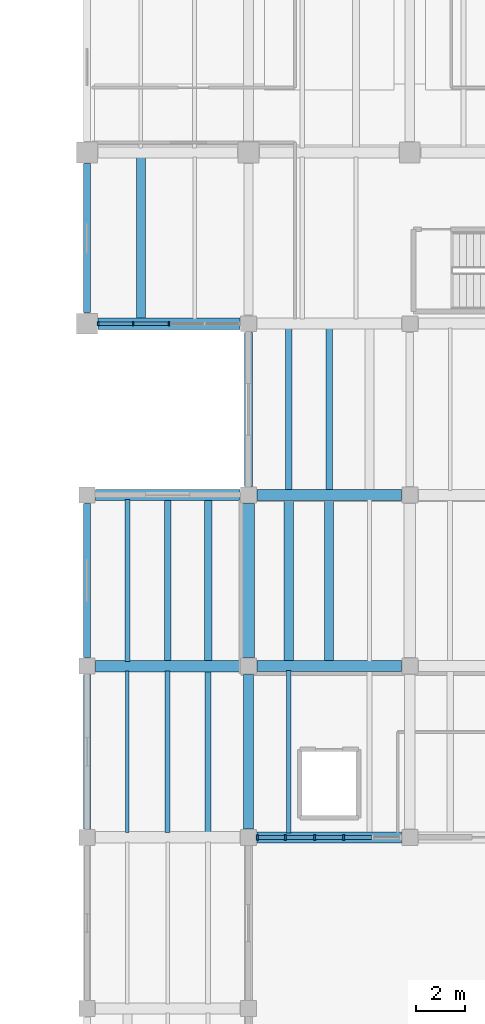
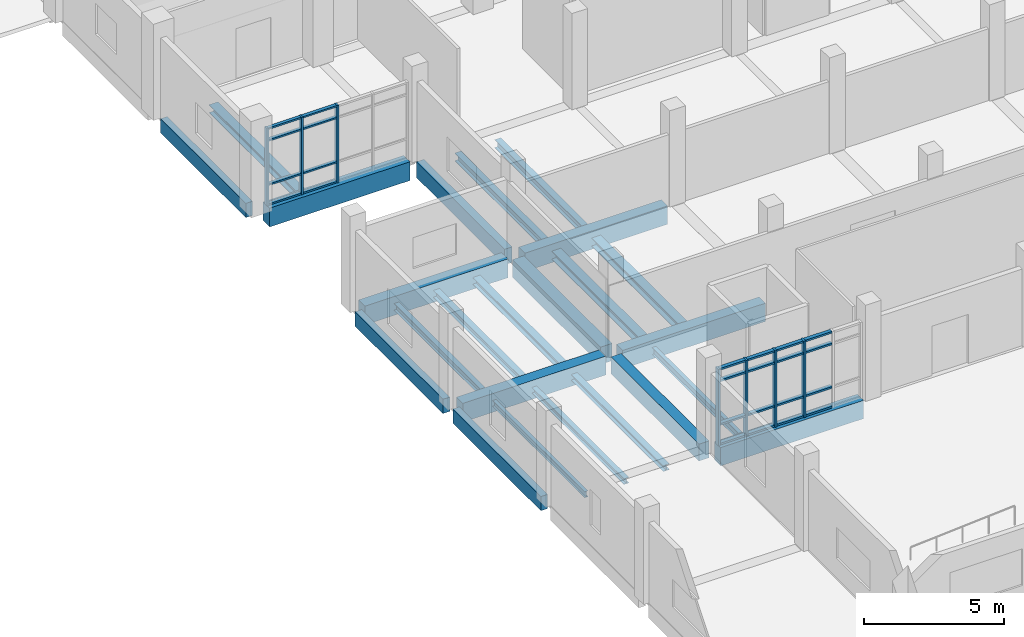
# One storey, part 21 of 69: 31 members, 24 beams, 2 elements without a shape of their own.
"""IFC4 building model written with IfcOpenShell, lengths in metres."""

from ifc_helpers import new_model, si_unit, direction, frame, origin, origin_2d, place, context, subcontext, project, spatial, rectangle, i_section, extrude, material, material_profile, profile_set, type_object, element, aggregate, save


model = new_model("IFC4")

# Units and contexts
model_context = context("Model", 3, precision=1e-05, world=origin(), true_north=direction((0.0, 1.0)))
body_context = subcontext(model_context, "Body", "Model", "MODEL_VIEW")
ifc_project = project(units=[si_unit("LENGTHUNIT", "METRE"), si_unit("AREAUNIT", "SQUARE_METRE"), si_unit("VOLUMEUNIT", "CUBIC_METRE"), si_unit("PLANEANGLEUNIT", "RADIAN"), si_unit("MASSUNIT", "GRAM", prefix="KILO")], contexts=[model_context])

# Site, building, storey
site_placement = place(None, origin())
site = spatial("IfcSite", under=ifc_project, at=site_placement, CompositionType="ELEMENT")
building_placement = place(site_placement, origin())
building = spatial("IfcBuilding", under=site, at=building_placement, Name="Ciguamira Faculty of Natural Sciences", CompositionType="ELEMENT")
storey_placement = place(building_placement, origin())
storey = spatial("IfcBuildingStorey", under=building, at=storey_placement, Name="L00", CompositionType="ELEMENT", Elevation=0.0)

# Curtain wall, members
ifc_material_1 = material(Name="Anodized aluminium curtain wall", Category="aluminium")
curtain_wall_type_1 = type_object("IfcCurtainWallType", Name="CurtainWall_CW-05", PredefinedType="USERDEFINED", material=ifc_material_1)
curtain_wall_1_placement = place(storey_placement, origin())
curtain_wall_1 = element("IfcCurtainWall", 1, at=curtain_wall_1_placement, inside=storey, type_object=curtain_wall_type_1, Name="L00 unitised curtain wall 0017", ObjectType="UNITISED CURTAIN WALL", PredefinedType="USERDEFINED")
ifc_material_2 = material(Name="Anodized aluminium mullion", Category="aluminium")
ifc_material_profile_1 = material_profile(ifc_material_2, rectangle(XDim=0.070068359375, YDim=0.179931640625, at=origin_2d()), Name="ALU-MUL-70X180")
ifc_profile_set_1 = profile_set([ifc_material_profile_1], Name="Anodized aluminium mullion")
member_type_1 = type_object("IfcMemberType", Name="CWMullion_CWM-02", PredefinedType="MULLION", material=ifc_profile_set_1)
member_1_placement = place(storey_placement, frame((57.760009765625, 94.0, 0.0), z_axis=(0.0, 0.0, 1.0), x_axis=(1.0, 0.0, 0.0)))
member_1 = element("IfcMember", 2, at=member_1_placement, type_object=member_type_1, Name="CW-05 mullion 1", PredefinedType="MULLION", context=body_context, shape_type="SweptSolid", body=[
    extrude(rectangle(XDim=0.070068359375, YDim=0.179931640625, at=origin_2d()), origin(), (0.0, 0.0, 1.0), 3.385009765625),
])
member_2_placement = place(storey_placement, frame((59.1875, 94.0, 0.0), z_axis=(0.0, 0.0, 1.0), x_axis=(1.0, 0.0, 0.0)))
member_2 = element("IfcMember", 3, at=member_2_placement, type_object=member_type_1, Name="CW-05 mullion 2", PredefinedType="MULLION", context=body_context, shape_type="SweptSolid", body=[
    extrude(rectangle(XDim=0.070068359375, YDim=0.179931640625, at=origin_2d()), origin(), (0.0, 0.0, 1.0), 3.385009765625),
])
member_3_placement = place(storey_placement, frame((60.64990234375, 94.0, 0.0), z_axis=(0.0, 0.0, 1.0), x_axis=(1.0, 0.0, 0.0)))
member_3 = element("IfcMember", 4, at=member_3_placement, type_object=member_type_1, Name="CW-05 mullion 3", PredefinedType="MULLION", context=body_context, shape_type="SweptSolid", body=[
    extrude(rectangle(XDim=0.070068359375, YDim=0.179931640625, at=origin_2d()), origin(), (0.0, 0.0, 1.0), 3.385009765625),
])

curtain_wall_type_2 = type_object("IfcCurtainWallType", Name="CurtainWall_CW-12", PredefinedType="USERDEFINED", material=ifc_material_1)
curtain_wall_2_placement = place(storey_placement, origin())
curtain_wall_2 = element("IfcCurtainWall", 5, at=curtain_wall_2_placement, inside=storey, type_object=curtain_wall_type_2, Name="L00 unitised curtain wall 0012", ObjectType="UNITISED CURTAIN WALL", PredefinedType="USERDEFINED")
ifc_material_profile_2 = material_profile(ifc_material_2, rectangle(XDim=0.080078125, YDim=0.219970703125, at=origin_2d()), Name="ALU-MUL-80X220")
ifc_profile_set_2 = profile_set([ifc_material_profile_2], Name="Anodized aluminium mullion")
member_type_2 = type_object("IfcMemberType", Name="CWMullion_CWM-03", PredefinedType="MULLION", material=ifc_profile_set_2)
member_4_placement = place(storey_placement, frame((64.264892578125, 73.0, 0.0), z_axis=(0.0, 0.0, 1.0), x_axis=(1.0, 0.0, 0.0)))
member_4 = element("IfcMember", 6, at=member_4_placement, type_object=member_type_2, Name="CW-12 mullion 1", PredefinedType="MULLION", context=body_context, shape_type="SweptSolid", body=[
    extrude(rectangle(XDim=0.080078125, YDim=0.219970703125, at=origin_2d()), origin(), (0.0, 0.0, 1.0), 3.344970703125),
])
member_5_placement = place(storey_placement, frame((65.4150390625, 73.0, 0.0), z_axis=(0.0, 0.0, 1.0), x_axis=(1.0, 0.0, 0.0)))
member_5 = element("IfcMember", 7, at=member_5_placement, type_object=member_type_2, Name="CW-12 mullion 2", PredefinedType="MULLION", context=body_context, shape_type="SweptSolid", body=[
    extrude(rectangle(XDim=0.080078125, YDim=0.219970703125, at=origin_2d()), origin(), (0.0, 0.0, 1.0), 3.344970703125),
])
member_6_placement = place(storey_placement, frame((66.60498046875, 73.0, 0.0), z_axis=(0.0, 0.0, 1.0), x_axis=(1.0, 0.0, 0.0)))
member_6 = element("IfcMember", 8, at=member_6_placement, type_object=member_type_2, Name="CW-12 mullion 3", PredefinedType="MULLION", context=body_context, shape_type="SweptSolid", body=[
    extrude(rectangle(XDim=0.080078125, YDim=0.219970703125, at=origin_2d()), origin(), (0.0, 0.0, 1.0), 3.344970703125),
])
member_7_placement = place(storey_placement, frame((67.794921875, 73.0, 0.0), z_axis=(0.0, 0.0, 1.0), x_axis=(1.0, 0.0, 0.0)))
member_7 = element("IfcMember", 9, at=member_7_placement, type_object=member_type_2, Name="CW-12 mullion 4", PredefinedType="MULLION", context=body_context, shape_type="SweptSolid", body=[
    extrude(rectangle(XDim=0.080078125, YDim=0.219970703125, at=origin_2d()), origin(), (0.0, 0.0, 1.0), 3.344970703125),
])

# Member
ifc_material_3 = material(Name="Anodized aluminium transom", Category="aluminium")
ifc_material_profile_3 = material_profile(ifc_material_3, rectangle(XDim=0.070068359375, YDim=0.139892578125, at=origin_2d()), Name="ALU-TRN-70X140")
ifc_profile_set_3 = profile_set([ifc_material_profile_3], Name="Anodized aluminium transom")
member_type_3 = type_object("IfcMemberType", Name="CWTransom_CWT-02", PredefinedType="USERDEFINED", material=ifc_profile_set_3)
member_8_placement = place(storey_placement, frame((57.794921875, 94.0, 0.034912109375), z_axis=(1.0, 0.0, 0.0), x_axis=(0.0, 0.0, 1.0)))
member_8 = element("IfcMember", 10, at=member_8_placement, type_object=member_type_3, Name="CW-05 transom 1.1", ObjectType="TRANSOM", PredefinedType="USERDEFINED", context=body_context, shape_type="SweptSolid", body=[
    extrude(rectangle(XDim=0.070068359375, YDim=0.139892578125, at=origin_2d()), origin(), (0.0, 0.0, 1.0), 1.357666015625),
])

member_9_placement = place(storey_placement, frame((57.794921875, 94.0, 0.89990234375), z_axis=(1.0, 0.0, 0.0), x_axis=(0.0, 0.0, 1.0)))
member_9 = element("IfcMember", 11, at=member_9_placement, type_object=member_type_3, Name="CW-05 transom 1.2", ObjectType="TRANSOM", PredefinedType="USERDEFINED", context=body_context, shape_type="SweptSolid", body=[
    extrude(rectangle(XDim=0.070068359375, YDim=0.139892578125, at=origin_2d()), origin(), (0.0, 0.0, 1.0), 1.357666015625),
])

member_10_placement = place(storey_placement, frame((57.794921875, 94.0, 2.8349609375), z_axis=(1.0, 0.0, 0.0), x_axis=(0.0, 0.0, 1.0)))
member_10 = element("IfcMember", 12, at=member_10_placement, type_object=member_type_3, Name="CW-05 transom 1.3", ObjectType="TRANSOM", PredefinedType="USERDEFINED", context=body_context, shape_type="SweptSolid", body=[
    extrude(rectangle(XDim=0.070068359375, YDim=0.139892578125, at=origin_2d()), origin(), (0.0, 0.0, 1.0), 1.357666015625),
])

member_11_placement = place(storey_placement, frame((57.794921875, 94.0, 3.35009765625), z_axis=(1.0, 0.0, 0.0), x_axis=(0.0, 0.0, 1.0)))
member_11 = element("IfcMember", 13, at=member_11_placement, type_object=member_type_3, Name="CW-05 transom 1.4", ObjectType="TRANSOM", PredefinedType="USERDEFINED", context=body_context, shape_type="SweptSolid", body=[
    extrude(rectangle(XDim=0.070068359375, YDim=0.139892578125, at=origin_2d()), origin(), (0.0, 0.0, 1.0), 1.357666015625),
])

member_12_placement = place(storey_placement, frame((59.222412109375, 94.0, 0.034912109375), z_axis=(1.0, 0.0, 0.0), x_axis=(0.0, 0.0, 1.0)))
member_12 = element("IfcMember", 14, at=member_12_placement, type_object=member_type_3, Name="CW-05 transom 2.1", ObjectType="TRANSOM", PredefinedType="USERDEFINED", context=body_context, shape_type="SweptSolid", body=[
    extrude(rectangle(XDim=0.070068359375, YDim=0.139892578125, at=origin_2d()), origin(), (0.0, 0.0, 1.0), 1.392578125),
])

member_13_placement = place(storey_placement, frame((59.222412109375, 94.0, 0.89990234375), z_axis=(1.0, 0.0, 0.0), x_axis=(0.0, 0.0, 1.0)))
member_13 = element("IfcMember", 15, at=member_13_placement, type_object=member_type_3, Name="CW-05 transom 2.2", ObjectType="TRANSOM", PredefinedType="USERDEFINED", context=body_context, shape_type="SweptSolid", body=[
    extrude(rectangle(XDim=0.070068359375, YDim=0.139892578125, at=origin_2d()), origin(), (0.0, 0.0, 1.0), 1.392578125),
])

member_14_placement = place(storey_placement, frame((59.222412109375, 94.0, 2.8349609375), z_axis=(1.0, 0.0, 0.0), x_axis=(0.0, 0.0, 1.0)))
member_14 = element("IfcMember", 16, at=member_14_placement, type_object=member_type_3, Name="CW-05 transom 2.3", ObjectType="TRANSOM", PredefinedType="USERDEFINED", context=body_context, shape_type="SweptSolid", body=[
    extrude(rectangle(XDim=0.070068359375, YDim=0.139892578125, at=origin_2d()), origin(), (0.0, 0.0, 1.0), 1.392578125),
])

member_15_placement = place(storey_placement, frame((59.222412109375, 94.0, 3.35009765625), z_axis=(1.0, 0.0, 0.0), x_axis=(0.0, 0.0, 1.0)))
member_15 = element("IfcMember", 17, at=member_15_placement, type_object=member_type_3, Name="CW-05 transom 2.4", ObjectType="TRANSOM", PredefinedType="USERDEFINED", context=body_context, shape_type="SweptSolid", body=[
    extrude(rectangle(XDim=0.070068359375, YDim=0.139892578125, at=origin_2d()), origin(), (0.0, 0.0, 1.0), 1.392578125),
])

aggregate(curtain_wall_1, [member_1, member_2, member_3, member_8, member_9, member_10, member_11, member_12, member_13, member_14, member_15])

ifc_material_profile_4 = material_profile(ifc_material_3, rectangle(XDim=0.080078125, YDim=0.159912109375, at=origin_2d()), Name="ALU-TRN-80X160")
ifc_profile_set_4 = profile_set([ifc_material_profile_4], Name="Anodized aluminium transom")
member_type_4 = type_object("IfcMemberType", Name="CWTransom_CWT-03", PredefinedType="USERDEFINED", material=ifc_profile_set_4)
member_16_placement = place(storey_placement, frame((64.304931640625, 73.0, 0.0400390625), z_axis=(1.0, 0.0, 0.0), x_axis=(0.0, 0.0, 1.0)))
member_16 = element("IfcMember", 18, at=member_16_placement, type_object=member_type_4, Name="CW-12 transom 1.1", ObjectType="TRANSOM", PredefinedType="USERDEFINED", context=body_context, shape_type="SweptSolid", body=[
    extrude(rectangle(XDim=0.080078125, YDim=0.159912109375, at=origin_2d()), origin(), (0.0, 0.0, 1.0), 1.070068359375),
])

member_17_placement = place(storey_placement, frame((64.304931640625, 73.0, 0.89990234375), z_axis=(1.0, 0.0, 0.0), x_axis=(0.0, 0.0, 1.0)))
member_17 = element("IfcMember", 19, at=member_17_placement, type_object=member_type_4, Name="CW-12 transom 1.2", ObjectType="TRANSOM", PredefinedType="USERDEFINED", context=body_context, shape_type="SweptSolid", body=[
    extrude(rectangle(XDim=0.080078125, YDim=0.159912109375, at=origin_2d()), origin(), (0.0, 0.0, 1.0), 1.070068359375),
])

member_18_placement = place(storey_placement, frame((64.304931640625, 73.0, 2.794921875), z_axis=(1.0, 0.0, 0.0), x_axis=(0.0, 0.0, 1.0)))
member_18 = element("IfcMember", 20, at=member_18_placement, type_object=member_type_4, Name="CW-12 transom 1.3", ObjectType="TRANSOM", PredefinedType="USERDEFINED", context=body_context, shape_type="SweptSolid", body=[
    extrude(rectangle(XDim=0.080078125, YDim=0.159912109375, at=origin_2d()), origin(), (0.0, 0.0, 1.0), 1.070068359375),
])

member_19_placement = place(storey_placement, frame((64.304931640625, 73.0, 3.304931640625), z_axis=(1.0, 0.0, 0.0), x_axis=(0.0, 0.0, 1.0)))
member_19 = element("IfcMember", 21, at=member_19_placement, type_object=member_type_4, Name="CW-12 transom 1.4", ObjectType="TRANSOM", PredefinedType="USERDEFINED", context=body_context, shape_type="SweptSolid", body=[
    extrude(rectangle(XDim=0.080078125, YDim=0.159912109375, at=origin_2d()), origin(), (0.0, 0.0, 1.0), 1.070068359375),
])

member_20_placement = place(storey_placement, frame((65.455078125, 73.0, 0.0400390625), z_axis=(1.0, 0.0, 0.0), x_axis=(0.0, 0.0, 1.0)))
member_20 = element("IfcMember", 22, at=member_20_placement, type_object=member_type_4, Name="CW-12 transom 2.1", ObjectType="TRANSOM", PredefinedType="USERDEFINED", context=body_context, shape_type="SweptSolid", body=[
    extrude(rectangle(XDim=0.080078125, YDim=0.159912109375, at=origin_2d()), origin(), (0.0, 0.0, 1.0), 1.10986328125),
])

member_21_placement = place(storey_placement, frame((65.455078125, 73.0, 0.89990234375), z_axis=(1.0, 0.0, 0.0), x_axis=(0.0, 0.0, 1.0)))
member_21 = element("IfcMember", 23, at=member_21_placement, type_object=member_type_4, Name="CW-12 transom 2.2", ObjectType="TRANSOM", PredefinedType="USERDEFINED", context=body_context, shape_type="SweptSolid", body=[
    extrude(rectangle(XDim=0.080078125, YDim=0.159912109375, at=origin_2d()), origin(), (0.0, 0.0, 1.0), 1.10986328125),
])

member_22_placement = place(storey_placement, frame((65.455078125, 73.0, 2.794921875), z_axis=(1.0, 0.0, 0.0), x_axis=(0.0, 0.0, 1.0)))
member_22 = element("IfcMember", 24, at=member_22_placement, type_object=member_type_4, Name="CW-12 transom 2.3", ObjectType="TRANSOM", PredefinedType="USERDEFINED", context=body_context, shape_type="SweptSolid", body=[
    extrude(rectangle(XDim=0.080078125, YDim=0.159912109375, at=origin_2d()), origin(), (0.0, 0.0, 1.0), 1.10986328125),
])

member_23_placement = place(storey_placement, frame((65.455078125, 73.0, 3.304931640625), z_axis=(1.0, 0.0, 0.0), x_axis=(0.0, 0.0, 1.0)))
member_23 = element("IfcMember", 25, at=member_23_placement, type_object=member_type_4, Name="CW-12 transom 2.4", ObjectType="TRANSOM", PredefinedType="USERDEFINED", context=body_context, shape_type="SweptSolid", body=[
    extrude(rectangle(XDim=0.080078125, YDim=0.159912109375, at=origin_2d()), origin(), (0.0, 0.0, 1.0), 1.10986328125),
])

member_24_placement = place(storey_placement, frame((66.64501953125, 73.0, 0.0400390625), z_axis=(1.0, 0.0, 0.0), x_axis=(0.0, 0.0, 1.0)))
member_24 = element("IfcMember", 26, at=member_24_placement, type_object=member_type_4, Name="CW-12 transom 3.1", ObjectType="TRANSOM", PredefinedType="USERDEFINED", context=body_context, shape_type="SweptSolid", body=[
    extrude(rectangle(XDim=0.080078125, YDim=0.159912109375, at=origin_2d()), origin(), (0.0, 0.0, 1.0), 1.10986328125),
])

member_25_placement = place(storey_placement, frame((66.64501953125, 73.0, 0.89990234375), z_axis=(1.0, 0.0, 0.0), x_axis=(0.0, 0.0, 1.0)))
member_25 = element("IfcMember", 27, at=member_25_placement, type_object=member_type_4, Name="CW-12 transom 3.2", ObjectType="TRANSOM", PredefinedType="USERDEFINED", context=body_context, shape_type="SweptSolid", body=[
    extrude(rectangle(XDim=0.080078125, YDim=0.159912109375, at=origin_2d()), origin(), (0.0, 0.0, 1.0), 1.10986328125),
])

member_26_placement = place(storey_placement, frame((66.64501953125, 73.0, 2.794921875), z_axis=(1.0, 0.0, 0.0), x_axis=(0.0, 0.0, 1.0)))
member_26 = element("IfcMember", 28, at=member_26_placement, type_object=member_type_4, Name="CW-12 transom 3.3", ObjectType="TRANSOM", PredefinedType="USERDEFINED", context=body_context, shape_type="SweptSolid", body=[
    extrude(rectangle(XDim=0.080078125, YDim=0.159912109375, at=origin_2d()), origin(), (0.0, 0.0, 1.0), 1.10986328125),
])

member_27_placement = place(storey_placement, frame((66.64501953125, 73.0, 3.304931640625), z_axis=(1.0, 0.0, 0.0), x_axis=(0.0, 0.0, 1.0)))
member_27 = element("IfcMember", 29, at=member_27_placement, type_object=member_type_4, Name="CW-12 transom 3.4", ObjectType="TRANSOM", PredefinedType="USERDEFINED", context=body_context, shape_type="SweptSolid", body=[
    extrude(rectangle(XDim=0.080078125, YDim=0.159912109375, at=origin_2d()), origin(), (0.0, 0.0, 1.0), 1.10986328125),
])

member_28_placement = place(storey_placement, frame((67.8349609375, 73.0, 0.0400390625), z_axis=(1.0, 0.0, 0.0), x_axis=(0.0, 0.0, 1.0)))
member_28 = element("IfcMember", 30, at=member_28_placement, type_object=member_type_4, Name="CW-12 transom 4.1", ObjectType="TRANSOM", PredefinedType="USERDEFINED", context=body_context, shape_type="SweptSolid", body=[
    extrude(rectangle(XDim=0.080078125, YDim=0.159912109375, at=origin_2d()), origin(), (0.0, 0.0, 1.0), 1.110107421875),
])

member_29_placement = place(storey_placement, frame((67.8349609375, 73.0, 0.89990234375), z_axis=(1.0, 0.0, 0.0), x_axis=(0.0, 0.0, 1.0)))
member_29 = element("IfcMember", 31, at=member_29_placement, type_object=member_type_4, Name="CW-12 transom 4.2", ObjectType="TRANSOM", PredefinedType="USERDEFINED", context=body_context, shape_type="SweptSolid", body=[
    extrude(rectangle(XDim=0.080078125, YDim=0.159912109375, at=origin_2d()), origin(), (0.0, 0.0, 1.0), 1.110107421875),
])

member_30_placement = place(storey_placement, frame((67.8349609375, 73.0, 2.794921875), z_axis=(1.0, 0.0, 0.0), x_axis=(0.0, 0.0, 1.0)))
member_30 = element("IfcMember", 32, at=member_30_placement, type_object=member_type_4, Name="CW-12 transom 4.3", ObjectType="TRANSOM", PredefinedType="USERDEFINED", context=body_context, shape_type="SweptSolid", body=[
    extrude(rectangle(XDim=0.080078125, YDim=0.159912109375, at=origin_2d()), origin(), (0.0, 0.0, 1.0), 1.110107421875),
])

member_31_placement = place(storey_placement, frame((67.8349609375, 73.0, 3.304931640625), z_axis=(1.0, 0.0, 0.0), x_axis=(0.0, 0.0, 1.0)))
member_31 = element("IfcMember", 33, at=member_31_placement, type_object=member_type_4, Name="CW-12 transom 4.4", ObjectType="TRANSOM", PredefinedType="USERDEFINED", context=body_context, shape_type="SweptSolid", body=[
    extrude(rectangle(XDim=0.080078125, YDim=0.159912109375, at=origin_2d()), origin(), (0.0, 0.0, 1.0), 1.110107421875),
])

aggregate(curtain_wall_2, [member_4, member_5, member_6, member_7, member_16, member_17, member_18, member_19, member_20, member_21, member_22, member_23, member_24, member_25, member_26, member_27, member_28, member_29, member_30, member_31])

# Beams
ifc_material_4 = material(Name="Concrete C40/50", Category="concrete")
ifc_material_profile_5 = material_profile(ifc_material_4, rectangle(XDim=0.4599609375, YDim=0.820068359375, at=origin_2d()), Name="RC-BM-460X820")
ifc_profile_set_5 = profile_set([ifc_material_profile_5], Name="Concrete C40/50")
beam_type_1 = type_object("IfcBeamType", Name="RCBeam_BG-04_RC-BM-460X820", PredefinedType="BEAM", material=ifc_profile_set_5)
for number, where, z_axis, x_axis, name in (
    (34, (57.64990234375, 80.0, -0.409912109375), (1.0, 0.0, 0.0), (0.0, 1.0, 0.0), "L00 RC girder EW-0138"),
    (35, (57.64990234375, 87.0, -0.409912109375), (1.0, 0.0, 0.0), (0.0, 1.0, 0.0), "L00 RC girder EW-0147"),
):
    element("IfcBeam", number, at=place(storey_placement, frame(where, z_axis=z_axis, x_axis=x_axis)), inside=storey, type_object=beam_type_1, Name=name, PredefinedType="BEAM", context=body_context, shape_type="SweptSolid", body=[
        extrude(rectangle(XDim=0.4599609375, YDim=0.820068359375, at=origin_2d()), origin(), (0.0, 0.0, 1.0), 5.900146484375),
    ])
beam_1_placement = place(storey_placement, frame((57.75, 94.0, -0.409912109375), z_axis=(1.0, 0.0, 0.0), x_axis=(0.0, 1.0, 0.0)))
element("IfcBeam", 36, at=beam_1_placement, inside=storey, type_object=beam_type_1, Name="L00 RC girder EW-0156", PredefinedType="BEAM", context=body_context, shape_type="SweptSolid", body=[
    extrude(rectangle(XDim=0.4599609375, YDim=0.820068359375, at=origin_2d()), origin(), (0.0, 0.0, 1.0), 5.800048828125),
])
ifc_material_profile_6 = material_profile(ifc_material_4, rectangle(XDim=0.449951171875, YDim=0.800048828125, at=origin_2d()), Name="RC-BM-450X800")
ifc_profile_set_6 = profile_set([ifc_material_profile_6], Name="Concrete C40/50")
beam_type_2 = type_object("IfcBeamType", Name="RCBeam_BG-05_RC-BM-450X800", PredefinedType="BEAM", material=ifc_profile_set_6)
for number, where, z_axis, x_axis, name in (
    (37, (64.25, 73.0, -0.39990234375), (1.0, 0.0, 0.0), (0.0, 1.0, 0.0), "L00 RC girder EW-0130"),
    (38, (64.25, 80.0, -0.39990234375), (1.0, 0.0, 0.0), (0.0, 1.0, 0.0), "L00 RC girder EW-0139"),
    (39, (64.25, 87.0, -0.39990234375), (1.0, 0.0, 0.0), (0.0, 1.0, 0.0), "L00 RC girder EW-0148"),
):
    element("IfcBeam", number, at=place(storey_placement, frame(where, z_axis=z_axis, x_axis=x_axis)), inside=storey, type_object=beam_type_2, Name=name, PredefinedType="BEAM", context=body_context, shape_type="SweptSolid", body=[
        extrude(rectangle(XDim=0.449951171875, YDim=0.800048828125, at=origin_2d()), origin(), (0.0, 0.0, 1.0), 5.89990234375),
    ])
ifc_material_profile_7 = material_profile(ifc_material_4, rectangle(XDim=0.419921875, YDim=0.739990234375, at=origin_2d()), Name="RC-BM-420X740")
ifc_profile_set_7 = profile_set([ifc_material_profile_7], Name="Concrete C40/50")
beam_type_3 = type_object("IfcBeamType", Name="RCBeam_BG-07_RC-BM-420X740", PredefinedType="BEAM", material=ifc_profile_set_7)
beam_2_placement = place(storey_placement, frame((63.89990234375, 73.35009765625, -0.3701171875), z_axis=(0.0, 1.0, 0.0), x_axis=(-1.0, 0.0, 0.0)))
element("IfcBeam", 40, at=beam_2_placement, inside=storey, type_object=beam_type_3, Name="L00 girder NS-0236", PredefinedType="BEAM", context=body_context, shape_type="SweptSolid", body=[
    extrude(rectangle(XDim=0.419921875, YDim=0.739990234375, at=origin_2d()), origin(), (0.0, 0.0, 1.0), 6.2998046875),
])
ifc_material_5 = material(Name="Precast concrete C40/50", Category="concrete")
ifc_material_profile_8 = material_profile(ifc_material_5, rectangle(XDim=0.280029296875, YDim=0.6201171875, at=origin_2d()), Name="RC-SP-280X620")
ifc_profile_set_8 = profile_set([ifc_material_profile_8], Name="Precast concrete C40/50")
beam_type_4 = type_object("IfcBeamType", Name="RCBeam_SP-01_RC-SP-280X620", PredefinedType="SPANDREL", material=ifc_profile_set_8)
for number, where, z_axis, x_axis, name in (
    (41, (57.300048828125, 73.35009765625, -0.31005859375), (0.0, 1.0, 0.0), (-1.0, 0.0, 0.0), "L00 girder NS-0224"),
    (42, (57.300048828125, 80.35009765625, -0.31005859375), (0.0, 1.0, 0.0), (-1.0, 0.0, 0.0), "L00 girder NS-0225"),
):
    element("IfcBeam", number, at=place(storey_placement, frame(where, z_axis=z_axis, x_axis=x_axis)), inside=storey, type_object=beam_type_4, Name=name, PredefinedType="SPANDREL", context=body_context, shape_type="SweptSolid", body=[
        extrude(rectangle(XDim=0.280029296875, YDim=0.6201171875, at=origin_2d()), origin(), (0.0, 0.0, 1.0), 6.2998046875),
    ])
beam_3_placement = place(storey_placement, frame((57.300048828125, 94.449951171875, -0.31005859375), z_axis=(0.0, 1.0, 0.0), x_axis=(-1.0, 0.0, 0.0)))
element("IfcBeam", 43, at=beam_3_placement, inside=storey, type_object=beam_type_4, Name="L00 girder NS-0226", PredefinedType="SPANDREL", context=body_context, shape_type="SweptSolid", body=[
    extrude(rectangle(XDim=0.280029296875, YDim=0.6201171875, at=origin_2d()), origin(), (0.0, 0.0, 1.0), 6.10009765625),
])
ifc_material_profile_9 = material_profile(ifc_material_5, rectangle(XDim=0.320068359375, YDim=0.679931640625, at=origin_2d()), Name="RC-SP-320X680")
ifc_profile_set_9 = profile_set([ifc_material_profile_9], Name="Precast concrete C40/50")
beam_type_5 = type_object("IfcBeamType", Name="RCBeam_SP-02_RC-SP-320X680", PredefinedType="SPANDREL", material=ifc_profile_set_9)
beam_4_placement = place(storey_placement, frame((63.89990234375, 87.35009765625, -0.340087890625), z_axis=(0.0, 1.0, 0.0), x_axis=(-1.0, 0.0, 0.0)))
element("IfcBeam", 44, at=beam_4_placement, inside=storey, type_object=beam_type_5, Name="L00 girder NS-0238", PredefinedType="SPANDREL", context=body_context, shape_type="SweptSolid", body=[
    extrude(rectangle(XDim=0.320068359375, YDim=0.679931640625, at=origin_2d()), origin(), (0.0, 0.0, 1.0), 6.2998046875),
])
ifc_material_profile_10 = material_profile(ifc_material_4, rectangle(XDim=0.47998046875, YDim=0.760009765625, at=origin_2d()), Name="RC-TB-480X760")
ifc_profile_set_10 = profile_set([ifc_material_profile_10], Name="Concrete C40/50")
beam_type_6 = type_object("IfcBeamType", Name="RCBeam_TB-01_RC-TB-480X760", PredefinedType="T_BEAM", material=ifc_profile_set_10)
beam_5_placement = place(storey_placement, frame((63.89990234375, 80.35009765625, -0.3798828125), z_axis=(0.0, 1.0, 0.0), x_axis=(-1.0, 0.0, 0.0)))
element("IfcBeam", 45, at=beam_5_placement, inside=storey, type_object=beam_type_6, Name="L00 girder NS-0237", PredefinedType="T_BEAM", context=body_context, shape_type="SweptSolid", body=[
    extrude(rectangle(XDim=0.47998046875, YDim=0.760009765625, at=origin_2d()), origin(), (0.0, 0.0, 1.0), 6.2998046875),
])
ifc_material_6 = material(Name="Steel ASTM A992 Grade 50", Category="steel")
ifc_material_profile_11 = material_profile(ifc_material_6, i_section(OverallWidth=0.14599609375, OverallDepth=0.259033203125, WebThickness=0.006103515625, FlangeThickness=0.009033203125, at=origin_2d()), Name="W10X22")
ifc_profile_set_11 = profile_set([ifc_material_profile_11], Name="Steel ASTM A992 Grade 50")
beam_type_7 = type_object("IfcBeamType", Name="SteelJoist_SJ-01_W10X22", PredefinedType="JOIST", material=ifc_profile_set_11)
beam_6_placement = place(storey_placement, frame((58.949951171875, 73.18994140625, -0.429443359375), z_axis=(0.0, 1.0, 0.0), x_axis=(-1.0, 0.0, 0.0)))
element("IfcBeam", 46, at=beam_6_placement, inside=storey, type_object=beam_type_7, Name="L00 composite steel joist 00080", PredefinedType="JOIST", context=body_context, shape_type="SweptSolid", body=[
    extrude(i_section(OverallWidth=0.14599609375, OverallDepth=0.259033203125, WebThickness=0.006103515625, FlangeThickness=0.009033203125, at=origin_2d()), origin(), (0.0, 0.0, 1.0), 6.6201171875),
])
ifc_material_profile_12 = material_profile(ifc_material_6, i_section(OverallWidth=0.2021484375, OverallDepth=0.2470703125, WebThickness=0.00732421875, FlangeThickness=0.010986328125, at=origin_2d()), Name="W10X33")
ifc_profile_set_12 = profile_set([ifc_material_profile_12], Name="Steel ASTM A992 Grade 50")
beam_type_8 = type_object("IfcBeamType", Name="SteelJoist_SJ-02_W10X33", PredefinedType="JOIST", material=ifc_profile_set_12)
beam_7_placement = place(storey_placement, frame((60.60009765625, 73.18994140625, -0.423583984375), z_axis=(0.0, 1.0, 0.0), x_axis=(-1.0, 0.0, 0.0)))
element("IfcBeam", 47, at=beam_7_placement, inside=storey, type_object=beam_type_8, Name="L00 composite steel joist 00081", PredefinedType="JOIST", context=body_context, shape_type="SweptSolid", body=[
    extrude(i_section(OverallWidth=0.2021484375, OverallDepth=0.2470703125, WebThickness=0.00732421875, FlangeThickness=0.010986328125, at=origin_2d()), origin(), (0.0, 0.0, 1.0), 6.6201171875),
])
ifc_material_profile_13 = material_profile(ifc_material_6, i_section(OverallWidth=0.25390625, OverallDepth=0.25390625, WebThickness=0.008544921875, FlangeThickness=0.01416015625, at=origin_2d()), Name="W10X49")
ifc_profile_set_13 = profile_set([ifc_material_profile_13], Name="Steel ASTM A992 Grade 50")
beam_type_9 = type_object("IfcBeamType", Name="SteelJoist_SJ-03_W10X49", PredefinedType="JOIST", material=ifc_profile_set_13)
beam_8_placement = place(storey_placement, frame((62.25, 73.18994140625, -0.427001953125), z_axis=(0.0, 1.0, 0.0), x_axis=(-1.0, 0.0, 0.0)))
element("IfcBeam", 48, at=beam_8_placement, inside=storey, type_object=beam_type_9, Name="L00 composite steel joist 00082", PredefinedType="JOIST", context=body_context, shape_type="SweptSolid", body=[
    extrude(i_section(OverallWidth=0.25390625, OverallDepth=0.25390625, WebThickness=0.008544921875, FlangeThickness=0.01416015625, at=origin_2d()), origin(), (0.0, 0.0, 1.0), 6.6201171875),
])
ifc_material_profile_14 = material_profile(ifc_material_6, i_section(OverallWidth=0.164794921875, OverallDepth=0.309814453125, WebThickness=0.005859375, FlangeThickness=0.009765625, at=origin_2d()), Name="W12X26")
ifc_profile_set_14 = profile_set([ifc_material_profile_14], Name="Steel ASTM A992 Grade 50")
beam_type_10 = type_object("IfcBeamType", Name="SteelJoist_SJ-04_W12X26", PredefinedType="JOIST", material=ifc_profile_set_14)
beam_9_placement = place(storey_placement, frame((65.550048828125, 73.18505859375, -0.454833984375), z_axis=(0.0, 1.0, 0.0), x_axis=(-1.0, 0.0, 0.0)))
element("IfcBeam", 49, at=beam_9_placement, inside=storey, type_object=beam_type_10, Name="L00 composite steel joist 00107", PredefinedType="JOIST", context=body_context, shape_type="SweptSolid", body=[
    extrude(i_section(OverallWidth=0.164794921875, OverallDepth=0.309814453125, WebThickness=0.005859375, FlangeThickness=0.009765625, at=origin_2d()), origin(), (0.0, 0.0, 1.0), 6.6298828125),
])
ifc_material_profile_15 = material_profile(ifc_material_6, i_section(OverallWidth=0.20458984375, OverallDepth=0.307373046875, WebThickness=0.008544921875, FlangeThickness=0.0146484375, at=origin_2d()), Name="W12X45")
ifc_profile_set_15 = profile_set([ifc_material_profile_15], Name="Steel ASTM A992 Grade 50")
beam_type_11 = type_object("IfcBeamType", Name="SteelJoist_SJ-06_W12X45", PredefinedType="JOIST", material=ifc_profile_set_15)
beam_10_placement = place(storey_placement, frame((58.949951171875, 80.18994140625, -0.45361328125), z_axis=(0.0, 1.0, 0.0), x_axis=(-1.0, 0.0, 0.0)))
element("IfcBeam", 50, at=beam_10_placement, inside=storey, type_object=beam_type_11, Name="L00 composite steel joist 00083", PredefinedType="JOIST", context=body_context, shape_type="SweptSolid", body=[
    extrude(i_section(OverallWidth=0.20458984375, OverallDepth=0.307373046875, WebThickness=0.008544921875, FlangeThickness=0.0146484375, at=origin_2d()), origin(), (0.0, 0.0, 1.0), 6.6201171875),
])
ifc_material_profile_16 = material_profile(ifc_material_6, i_section(OverallWidth=0.25390625, OverallDepth=0.307373046875, WebThickness=0.0087890625, FlangeThickness=0.0146484375, at=origin_2d()), Name="W12X53")
ifc_profile_set_16 = profile_set([ifc_material_profile_16], Name="Steel ASTM A992 Grade 50")
beam_type_12 = type_object("IfcBeamType", Name="SteelJoist_SJ-07_W12X53", PredefinedType="JOIST", material=ifc_profile_set_16)
beam_11_placement = place(storey_placement, frame((60.60009765625, 80.18994140625, -0.45361328125), z_axis=(0.0, 1.0, 0.0), x_axis=(-1.0, 0.0, 0.0)))
element("IfcBeam", 51, at=beam_11_placement, inside=storey, type_object=beam_type_12, Name="L00 composite steel joist 00084", PredefinedType="JOIST", context=body_context, shape_type="SweptSolid", body=[
    extrude(i_section(OverallWidth=0.25390625, OverallDepth=0.307373046875, WebThickness=0.0087890625, FlangeThickness=0.0146484375, at=origin_2d()), origin(), (0.0, 0.0, 1.0), 6.6201171875),
])
ifc_material_profile_17 = material_profile(ifc_material_6, i_section(OverallWidth=0.3046875, OverallDepth=0.307373046875, WebThickness=0.010009765625, FlangeThickness=0.015380859375, at=origin_2d()), Name="W12X65")
ifc_profile_set_17 = profile_set([ifc_material_profile_17], Name="Steel ASTM A992 Grade 50")
beam_type_13 = type_object("IfcBeamType", Name="SteelJoist_SJ-08_W12X65", PredefinedType="JOIST", material=ifc_profile_set_17)
beam_12_placement = place(storey_placement, frame((62.25, 80.18994140625, -0.45361328125), z_axis=(0.0, 1.0, 0.0), x_axis=(-1.0, 0.0, 0.0)))
element("IfcBeam", 52, at=beam_12_placement, inside=storey, type_object=beam_type_13, Name="L00 composite steel joist 00085", PredefinedType="JOIST", context=body_context, shape_type="SweptSolid", body=[
    extrude(i_section(OverallWidth=0.3046875, OverallDepth=0.307373046875, WebThickness=0.010009765625, FlangeThickness=0.015380859375, at=origin_2d()), origin(), (0.0, 0.0, 1.0), 6.6201171875),
])
ifc_material_profile_18 = material_profile(ifc_material_6, i_section(OverallWidth=0.370849609375, OverallDepth=0.36328125, WebThickness=0.013427734375, FlangeThickness=0.021728515625, at=origin_2d()), Name="W14X109")
ifc_profile_set_18 = profile_set([ifc_material_profile_18], Name="Steel ASTM A992 Grade 50")
beam_type_14 = type_object("IfcBeamType", Name="SteelJoist_SJ-09_W14X109", PredefinedType="JOIST", material=ifc_profile_set_18)
beam_13_placement = place(storey_placement, frame((65.550048828125, 80.18505859375, -0.481689453125), z_axis=(0.0, 1.0, 0.0), x_axis=(-1.0, 0.0, 0.0)))
element("IfcBeam", 53, at=beam_13_placement, inside=storey, type_object=beam_type_14, Name="L00 composite steel joist 00109", PredefinedType="JOIST", context=body_context, shape_type="SweptSolid", body=[
    extrude(i_section(OverallWidth=0.370849609375, OverallDepth=0.36328125, WebThickness=0.013427734375, FlangeThickness=0.021728515625, at=origin_2d()), origin(), (0.0, 0.0, 1.0), 6.6298828125),
])
ifc_material_profile_19 = material_profile(ifc_material_6, i_section(OverallWidth=0.373291015625, OverallDepth=0.373291015625, WebThickness=0.016357421875, FlangeThickness=0.026123046875, at=origin_2d()), Name="W14X132")
ifc_profile_set_19 = profile_set([ifc_material_profile_19], Name="Steel ASTM A992 Grade 50")
beam_type_15 = type_object("IfcBeamType", Name="SteelJoist_SJ-10_W14X132", PredefinedType="JOIST", material=ifc_profile_set_19)
beam_14_placement = place(storey_placement, frame((67.199951171875, 80.18505859375, -0.48681640625), z_axis=(0.0, 1.0, 0.0), x_axis=(-1.0, 0.0, 0.0)))
element("IfcBeam", 54, at=beam_14_placement, inside=storey, type_object=beam_type_15, Name="L00 composite steel joist 00110", PredefinedType="JOIST", context=body_context, shape_type="SweptSolid", body=[
    extrude(i_section(OverallWidth=0.373291015625, OverallDepth=0.373291015625, WebThickness=0.016357421875, FlangeThickness=0.026123046875, at=origin_2d()), origin(), (0.0, 0.0, 1.0), 6.6298828125),
])
ifc_material_profile_20 = material_profile(ifc_material_6, i_section(OverallWidth=0.25390625, OverallDepth=0.355712890625, WebThickness=0.010498046875, FlangeThickness=0.018310546875, at=origin_2d()), Name="W14X68")
ifc_profile_set_20 = profile_set([ifc_material_profile_20], Name="Steel ASTM A992 Grade 50")
beam_type_16 = type_object("IfcBeamType", Name="SteelJoist_SJ-14_W14X68", PredefinedType="JOIST", material=ifc_profile_set_20)
beam_15_placement = place(storey_placement, frame((65.550048828125, 87.18505859375, -0.477783203125), z_axis=(0.0, 1.0, 0.0), x_axis=(-1.0, 0.0, 0.0)))
element("IfcBeam", 55, at=beam_15_placement, inside=storey, type_object=beam_type_16, Name="L00 composite steel joist 00112", PredefinedType="JOIST", context=body_context, shape_type="SweptSolid", body=[
    extrude(i_section(OverallWidth=0.25390625, OverallDepth=0.355712890625, WebThickness=0.010498046875, FlangeThickness=0.018310546875, at=origin_2d()), origin(), (0.0, 0.0, 1.0), 6.6298828125),
])
ifc_material_profile_21 = material_profile(ifc_material_6, i_section(OverallWidth=0.256591796875, OverallDepth=0.36328125, WebThickness=0.012939453125, FlangeThickness=0.021728515625, at=origin_2d()), Name="W14X82")
ifc_profile_set_21 = profile_set([ifc_material_profile_21], Name="Steel ASTM A992 Grade 50")
beam_type_17 = type_object("IfcBeamType", Name="SteelJoist_SJ-15_W14X82", PredefinedType="JOIST", material=ifc_profile_set_21)
beam_16_placement = place(storey_placement, frame((67.199951171875, 87.18505859375, -0.481689453125), z_axis=(0.0, 1.0, 0.0), x_axis=(-1.0, 0.0, 0.0)))
element("IfcBeam", 56, at=beam_16_placement, inside=storey, type_object=beam_type_17, Name="L00 composite steel joist 00113", PredefinedType="JOIST", context=body_context, shape_type="SweptSolid", body=[
    extrude(i_section(OverallWidth=0.256591796875, OverallDepth=0.36328125, WebThickness=0.012939453125, FlangeThickness=0.021728515625, at=origin_2d()), origin(), (0.0, 0.0, 1.0), 6.6298828125),
])
ifc_material_profile_22 = material_profile(ifc_material_6, i_section(OverallWidth=0.368408203125, OverallDepth=0.355712890625, WebThickness=0.01123046875, FlangeThickness=0.01806640625, at=origin_2d()), Name="W14X90")
ifc_profile_set_22 = profile_set([ifc_material_profile_22], Name="Steel ASTM A992 Grade 50")
beam_type_18 = type_object("IfcBeamType", Name="SteelJoist_SJ-16_W14X90", PredefinedType="JOIST", material=ifc_profile_set_22)
beam_17_placement = place(storey_placement, frame((59.5, 94.18994140625, -0.477783203125), z_axis=(0.0, 1.0, 0.0), x_axis=(-1.0, 0.0, 0.0)))
element("IfcBeam", 57, at=beam_17_placement, inside=storey, type_object=beam_type_18, Name="L00 composite steel joist 00086", PredefinedType="JOIST", context=body_context, shape_type="SweptSolid", body=[
    extrude(i_section(OverallWidth=0.368408203125, OverallDepth=0.355712890625, WebThickness=0.01123046875, FlangeThickness=0.01806640625, at=origin_2d()), origin(), (0.0, 0.0, 1.0), 6.6201171875),
])

save(model, "model.ifc")
